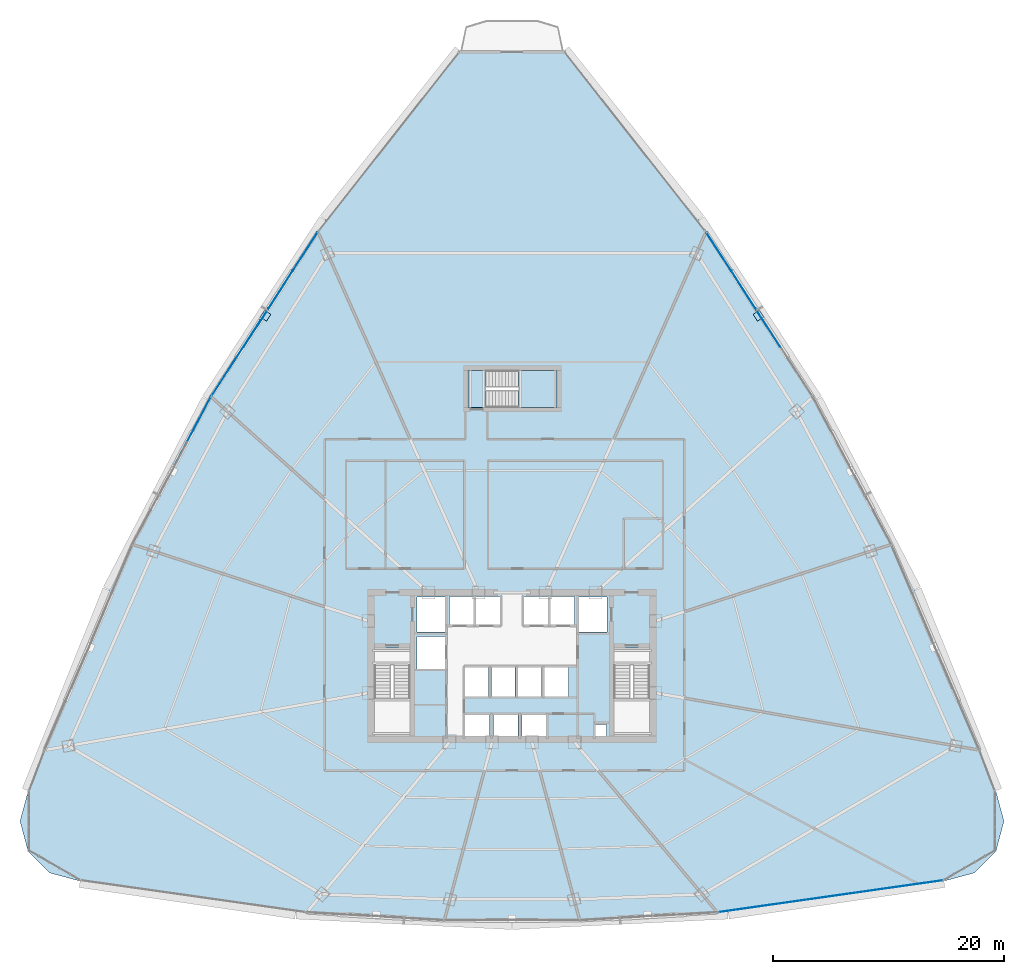
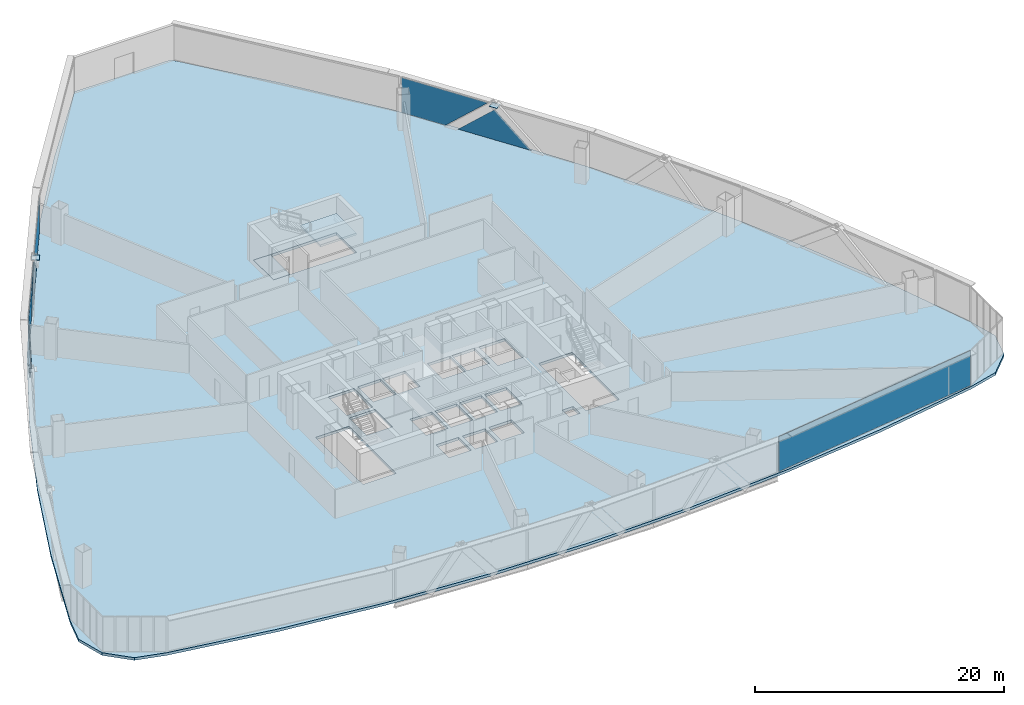
# One storey, part 29 of 39: 9 plates, 3 slabs, 5 elements without a shape of their own.
"""IFC4 building model written with IfcOpenShell, lengths in metres."""

from ifc_helpers import new_model, si_unit, direction, frame, origin, origin_2d, place, context, subcontext, project, spatial, polyline, rectangle, outline, extrude, source, transform, mapped, material, layer, layer_set, type_object, element, aggregate, save


model = new_model("IFC4")

# Units and contexts
model_context = context("Model", 3, precision=1e-05, world=origin(), true_north=direction((0.0, 1.0)))
body_context = subcontext(model_context, "Body", "Model", "MODEL_VIEW")
ifc_project = project(units=[si_unit("LENGTHUNIT", "METRE"), si_unit("AREAUNIT", "SQUARE_METRE"), si_unit("VOLUMEUNIT", "CUBIC_METRE"), si_unit("PLANEANGLEUNIT", "RADIAN"), si_unit("MASSUNIT", "GRAM", prefix="KILO"), si_unit("THERMODYNAMICTEMPERATUREUNIT", "KELVIN"), si_unit("POWERUNIT", "WATT")], contexts=[model_context])

# Site, building, storey
site_placement = place(None, origin())
site = spatial("IfcSite", under=ifc_project, at=site_placement, CompositionType="ELEMENT")
building_placement = place(site_placement, origin())
building = spatial("IfcBuilding", under=site, at=building_placement, Name="Yunzhuo Pagoda Commons", CompositionType="ELEMENT")
storey_placement = place(building_placement, frame((0.0, 0.0, 100.179931640625)))
storey = spatial("IfcBuildingStorey", under=building, at=storey_placement, Name="L25", CompositionType="ELEMENT", Elevation=100.179931640625)

# Curtain wall, plates
ifc_material_1 = material(Name="Anodized aluminium 6063-T6", Category="aluminium")
ifc_layer_1 = layer(ifc_material_1, 0.1650390625)
ifc_layer_set_1 = layer_set([ifc_layer_1], Name="Anodized aluminium 6063-T6")
curtain_wall_type = type_object("IfcCurtainWallType", Name="CW-LOW Low-Zone Ribbon Curtain Wall", PredefinedType="NOTDEFINED", material=ifc_layer_set_1)
curtain_wall_1_placement = place(storey_placement, origin())
curtain_wall_1 = element("IfcCurtainWall", 1, at=curtain_wall_1_placement, inside=storey, type_object=curtain_wall_type, Name="L25 curtain wall CW-L25-F2B4", PredefinedType="NOTDEFINED")
ifc_material_2 = material(Name="Tempered low-e double glazing", Category="glass")
ifc_layer_2 = layer(ifc_material_2, 0.028076171875)
ifc_layer_set_2 = layer_set([ifc_layer_2], Name="Tempered low-e double glazing")
plate_type_1 = type_object("IfcPlateType", Name="CW-LOW-P Low-E Double Glazing 28", PredefinedType="CURTAIN_PANEL", material=ifc_layer_set_2)
plate_1_placement = place(storey_placement, frame((69.353515625, 64.219482421875, 1.545166015625), z_axis=(0.838972259493, 0.544174188841, 0.0), x_axis=(-0.544174188841, 0.838972259493, 0.0)))
plate_1 = element("IfcPlate", 2, at=plate_1_placement, type_object=plate_type_1, Name="CW panel 1.1 lite 2", PredefinedType="CURTAIN_PANEL", context=body_context, shape_type="SweptSolid", body=[
    extrude(outline(polyline([(-3.318115234375, -1.485107421875), (3.318115234375, -1.485107421875), (0.0, 1.485107421875), (-3.318115234375, -1.485107421875)])), origin(), (0.0, 0.0, 1.0), 0.028076171875),
])
plate_2_placement = place(storey_placement, frame((66.9130859375, 68.037353515625, 1.77001953125), z_axis=(0.838972259493, 0.544174188841, 0.0), x_axis=(-0.544174188841, 0.838972259493, 0.0)))
plate_2 = element("IfcPlate", 3, at=plate_2_placement, type_object=plate_type_1, Name="CW panel 1.1 lite 3", PredefinedType="CURTAIN_PANEL", context=body_context, shape_type="SweptSolid", body=[
    extrude(outline(polyline([(-3.894287109375, 1.7099609375), (-0.073486328125, -1.7099609375), (3.894287109375, -1.7099609375), (3.894287109375, 1.7099609375), (-3.894287109375, 1.7099609375)])), origin(), (0.0, 0.0, 1.0), 0.028076171875),
])
aggregate(curtain_wall_1, [plate_1, plate_2])

curtain_wall_2_placement = place(storey_placement, origin())
curtain_wall_2 = element("IfcCurtainWall", 4, at=curtain_wall_2_placement, inside=storey, type_object=curtain_wall_type, Name="L25 curtain wall CW-L25-F3B2", PredefinedType="NOTDEFINED")
plate_3_placement = place(storey_placement, frame((29.0869140625, 68.037353515625, 1.77001953125), z_axis=(-0.838972259493, 0.544174188841, 0.0), x_axis=(-0.544174188841, -0.838972259493, 0.0)))
plate_3 = element("IfcPlate", 5, at=plate_3_placement, type_object=plate_type_1, Name="CW panel 1.1 lite 1", PredefinedType="CURTAIN_PANEL", context=body_context, shape_type="SweptSolid", body=[
    extrude(outline(polyline([(-3.894287109375, -1.7099609375), (0.073486328125, -1.7099609375), (3.894287109375, 1.7099609375), (-3.894287109375, 1.7099609375), (-3.894287109375, -1.7099609375)])), origin(), (0.0, 0.0, 1.0), 0.028076171875),
])
plate_4_placement = place(storey_placement, frame((26.646484375, 64.219482421875, 1.545166015625), z_axis=(-0.838972259493, 0.544174188841, 0.0), x_axis=(-0.544174188841, -0.838972259493, 0.0)))
plate_4 = element("IfcPlate", 6, at=plate_4_placement, type_object=plate_type_1, Name="CW panel 1.1 lite 2", PredefinedType="CURTAIN_PANEL", context=body_context, shape_type="SweptSolid", body=[
    extrude(outline(polyline([(-3.318115234375, -1.485107421875), (3.318115234375, -1.485107421875), (0.0, 1.485107421875), (-3.318115234375, -1.485107421875)])), origin(), (0.0, 0.0, 1.0), 0.028076171875),
])
plate_5_placement = place(storey_placement, frame((24.155517578125, 60.434326171875, 1.77001953125), z_axis=(-0.838972259493, 0.544174188841, 0.0), x_axis=(-0.544174188841, -0.838972259493, 0.0)))
plate_5 = element("IfcPlate", 7, at=plate_5_placement, type_object=plate_type_1, Name="CW panel 1.1 lite 3", PredefinedType="CURTAIN_PANEL", context=body_context, shape_type="SweptSolid", body=[
    extrude(outline(polyline([(-3.894287109375, 1.7099609375), (-0.073486328125, -1.7099609375), (3.894287109375, -1.7099609375), (3.894287109375, 1.7099609375), (-3.894287109375, 1.7099609375)])), origin(), (0.0, 0.0, 1.0), 0.028076171875),
])
aggregate(curtain_wall_2, [plate_3, plate_4, plate_5])

# Curtain wall, plate
curtain_wall_3_placement = place(storey_placement, origin())
curtain_wall_3 = element("IfcCurtainWall", 8, at=curtain_wall_3_placement, inside=storey, type_object=curtain_wall_type, Name="L25 curtain wall CW-L25-F3B3", PredefinedType="NOTDEFINED")
plate_6_placement = place(storey_placement, frame((20.426513671875, 54.150634765625, 1.77001953125), z_axis=(-0.882975865639, 0.469418385558, 0.0), x_axis=(-0.469418385558, -0.882975865639, 0.0)))
plate_6 = element("IfcPlate", 9, at=plate_6_placement, type_object=plate_type_1, Name="CW panel 1.1 lite 1", PredefinedType="CURTAIN_PANEL", context=body_context, shape_type="SweptSolid", body=[
    extrude(outline(polyline([(-3.29052734375, -1.7099609375), (0.0380859375, -1.7099609375), (3.29052734375, 1.7099609375), (-3.29052734375, 1.7099609375), (-3.29052734375, -1.7099609375)])), origin(), (0.0, 0.0, 1.0), 0.028076171875),
])
aggregate(curtain_wall_3, [plate_6])

# Stair, slabs
ifc_material_3 = material(Name="Concrete C40", Category="concrete")
stair_type = type_object("IfcStairType", Name="ST-C3 North Tower Smokeproof Stair ST3", PredefinedType="HALF_TURN_STAIR", material=ifc_material_3)
stair_placement = place(storey_placement, origin())
stair = element("IfcStair", 10, at=stair_placement, inside=storey, type_object=stair_type, Name="L25 North tower smokeproof stair ST3", PredefinedType="HALF_TURN_STAIR")
ifc_layer_3 = layer(ifc_material_3, 0.2041015625)
ifc_layer_set_3 = layer_set([ifc_layer_3], Name="Concrete C40")
slab_type_1 = type_object("IfcSlabType", Name="SL-LND5 North Landing Slab 204", PredefinedType="LANDING", material=ifc_layer_set_3)
slab_1_placement = place(storey_placement, frame((0.0, 0.0, 1.699951171875)))
slab_1 = element("IfcSlab", 11, at=slab_1_placement, type_object=slab_type_1, Name="ST3 landing 1", PredefinedType="LANDING", context=body_context, shape_type="SweptSolid", body=[
    extrude(outline(polyline([(48.550048828125, 56.199951171875), (51.89990234375, 56.199951171875), (51.89990234375, 59.39990234375), (48.550048828125, 59.39990234375), (48.550048828125, 56.199951171875)])), origin(), (0.0, 0.0, 1.0), 0.2001953125),
])
slab_2_placement = place(storey_placement, frame((0.0, 0.0, -0.199951171875)))
slab_2 = element("IfcSlab", 12, at=slab_2_placement, type_object=slab_type_1, Name="ST3 floor landing L25", PredefinedType="LANDING", context=body_context, shape_type="SweptSolid", body=[
    extrude(outline(polyline([(44.199951171875, 56.199951171875), (45.75, 56.199951171875), (45.75, 59.39990234375), (44.199951171875, 59.39990234375), (44.199951171875, 56.199951171875)])), origin(), (0.0, 0.0, 1.0), 0.199951171875),
])
aggregate(stair, [slab_1, slab_2])

# Slab
ifc_layer_4 = layer(ifc_material_3, 0.260009765625)
ifc_layer_set_4 = layer_set([ifc_layer_4], Name="Concrete C40")
slab_type_2 = type_object("IfcSlabType", Name="SL-TWR Typical Tower Floor Slab 260", PredefinedType="FLOOR", material=ifc_layer_set_4)
slab_3_placement = place(storey_placement, frame((0.0, 0.0, -0.260009765625)))
element("IfcSlab", 13, at=slab_3_placement, inside=storey, type_object=slab_type_2, Name="L25 structural floor slab", PredefinedType="FLOOR", context=body_context, shape_type="SweptSolid", body=[
    extrude(outline(polyline([(9.473388671875, 31.834716796875), (13.162109375, 40.407958984375), (17.243408203125, 48.751953125), (21.71728515625, 56.86669921875), (26.58349609375, 64.75244140625), (31.84228515625, 72.408935546875), (37.49365234375, 79.83642578125), (43.53759765625, 87.034912109375), (52.46240234375, 87.034912109375), (58.50634765625, 79.83642578125), (64.15771484375, 72.408935546875), (69.41650390625, 64.75244140625), (74.28271484375, 56.86669921875), (78.756591796875, 48.751953125), (82.837890625, 40.407958984375), (86.526611328125, 31.834716796875), (89.82275390625, 23.03271484375), (90.52734375, 20.4462890625), (89.84130859375, 17.85498046875), (87.94921875, 15.9560546875), (85.3603515625, 15.2607421875), (76.020263671875, 13.669921875), (66.68017578125, 12.53369140625), (57.340087890625, 11.851806640625), (48.0, 11.624755859375), (38.659912109375, 11.851806640625), (29.31982421875, 12.53369140625), (19.979736328125, 13.669921875), (10.6396484375, 15.2607421875), (8.05078125, 15.9560546875), (6.15869140625, 17.85498046875), (5.47265625, 20.4462890625), (6.17724609375, 23.03271484375), (9.473388671875, 31.834716796875)]), holes=[polyline([(46.050048828125, 27.60009765625), (46.050048828125, 29.64990234375), (43.949951171875, 29.64990234375), (43.949951171875, 27.60009765625), (46.050048828125, 27.60009765625)]), polyline([(48.5, 27.60009765625), (48.5, 29.64990234375), (46.39990234375, 29.64990234375), (46.39990234375, 27.60009765625), (48.5, 27.60009765625)]), polyline([(36.10009765625, 27.800048828125), (39.199951171875, 27.800048828125), (39.199951171875, 35.39990234375), (36.10009765625, 35.39990234375), (36.10009765625, 27.800048828125)]), polyline([(45.969970703125, 31.199951171875), (45.969970703125, 33.800048828125), (43.929931640625, 33.800048828125), (43.929931640625, 31.199951171875), (45.969970703125, 31.199951171875)]), polyline([(48.27001953125, 31.199951171875), (48.27001953125, 33.800048828125), (46.22998046875, 33.800048828125), (46.22998046875, 31.199951171875), (48.27001953125, 31.199951171875)]), polyline([(42.199951171875, 33.60009765625), (42.199951171875, 36.39990234375), (39.800048828125, 36.39990234375), (39.800048828125, 33.60009765625), (42.199951171875, 33.60009765625)]), polyline([(42.199951171875, 36.800048828125), (42.199951171875, 39.800048828125), (39.800048828125, 39.800048828125), (39.800048828125, 36.800048828125), (42.199951171875, 36.800048828125)]), polyline([(42.60009765625, 37.39990234375), (44.699951171875, 37.39990234375), (44.699951171875, 39.85009765625), (42.60009765625, 39.85009765625), (42.60009765625, 37.39990234375)]), polyline([(44.85009765625, 37.39990234375), (46.949951171875, 37.39990234375), (46.949951171875, 39.85009765625), (44.85009765625, 39.85009765625), (44.85009765625, 37.39990234375)]), polyline([(56.179931640625, 27.699951171875), (56.179931640625, 28.800048828125), (55.179931640625, 28.800048828125), (55.179931640625, 27.699951171875), (56.179931640625, 27.699951171875)]), polyline([(50.949951171875, 27.60009765625), (50.949951171875, 29.64990234375), (48.85009765625, 29.64990234375), (48.85009765625, 27.60009765625), (50.949951171875, 27.60009765625)]), polyline([(56.800048828125, 27.800048828125), (59.89990234375, 27.800048828125), (59.89990234375, 35.39990234375), (56.800048828125, 35.39990234375), (56.800048828125, 27.800048828125)]), polyline([(50.570068359375, 31.199951171875), (50.570068359375, 33.800048828125), (48.530029296875, 33.800048828125), (48.530029296875, 31.199951171875), (50.570068359375, 31.199951171875)]), polyline([(52.8701171875, 31.199951171875), (52.8701171875, 33.800048828125), (50.830078125, 33.800048828125), (50.830078125, 31.199951171875), (52.8701171875, 31.199951171875)]), polyline([(56.199951171875, 36.800048828125), (56.199951171875, 39.800048828125), (53.800048828125, 39.800048828125), (53.800048828125, 36.800048828125), (56.199951171875, 36.800048828125)]), polyline([(51.14990234375, 37.39990234375), (51.14990234375, 39.85009765625), (49.050048828125, 39.85009765625), (49.050048828125, 37.39990234375), (51.14990234375, 37.39990234375)]), polyline([(51.300048828125, 37.39990234375), (53.39990234375, 37.39990234375), (53.39990234375, 39.85009765625), (51.300048828125, 39.85009765625), (51.300048828125, 37.39990234375)]), polyline([(44.199951171875, 56.199951171875), (51.89990234375, 56.199951171875), (51.89990234375, 59.39990234375), (44.199951171875, 59.39990234375), (44.199951171875, 56.199951171875)])]), origin(), (0.0, 0.0, 1.0), 0.260009765625),
])

# Plates
ifc_material_4 = material(Name="Structural steel Q355B", Category="steel")
ifc_layer_5 = layer(ifc_material_4, 0.028076171875)
ifc_layer_set_5 = layer_set([ifc_layer_5], Name="Structural steel Q355B")
plate_type_2 = type_object("IfcPlateType", Name="SP-ND1 Lattice Node Cap Plate 800x500x28", PredefinedType="USERDEFINED", material=ifc_layer_set_5)
shared_shape_1 = source(origin(), body_context, "Body", "SweptSolid", [
    extrude(rectangle(XDim=0.699951171875, YDim=0.64892578125, at=origin_2d()), origin(), (0.0, 0.0, 1.0), 0.035888671875),
])
for number, where, z_axis, x_axis, name in (
    (14, (69.3046875, 64.12109375, 3.501953125), (0.0, 0.0, 1.0), (-0.544170548087, 0.838974620948, 0.0), "L25 setback lattice tie plate F2.3L"),
    (15, (26.6953125, 64.12109375, 3.501953125), (0.0, 0.0, 1.0), (-0.544170548087, -0.838974620948, 0.0), "L25 setback lattice tie plate F3.1L"),
):
    element("IfcPlate", number, at=place(storey_placement, frame(where, z_axis=z_axis, x_axis=x_axis)), inside=storey, type_object=plate_type_2, Name=name, ObjectType="STIFFENER_PLATE", PredefinedType="USERDEFINED", context=body_context, shape_type="MappedRepresentation", body=[
        mapped(shared_shape_1, transform((0.0, 0.0, 0.0), scale=1.0)),
    ])

# Curtain wall, plate
curtain_wall_4_placement = place(storey_placement, origin())
curtain_wall_4 = element("IfcCurtainWall", 16, at=curtain_wall_4_placement, inside=storey, type_object=curtain_wall_type, Name="L25 curtain wall CW-L25-F1B5", PredefinedType="NOTDEFINED")
shared_shape_2 = source(origin(), body_context, "Body", "SweptSolid", [
    extrude(rectangle(XDim=19.5625, YDim=0.028076171875, at=origin_2d()), origin(), (0.0, 0.0, 1.0), 3.419921875),
])
plate_7_placement = place(storey_placement, frame((75.572021484375, 13.94384765625, 0.06005859375), z_axis=(0.0, 0.0, 1.0), x_axis=(0.990041803855, 0.140773671614, 0.0)))
plate_7 = element("IfcPlate", 17, at=plate_7_placement, type_object=plate_type_1, Name="CW panel 1.1", PredefinedType="CURTAIN_PANEL", context=body_context, shape_type="MappedRepresentation", body=[
    mapped(shared_shape_2, transform((0.0, 0.0, 0.0), scale=1.0)),
])
aggregate(curtain_wall_4, [plate_7])

save(model, "model.ifc")
